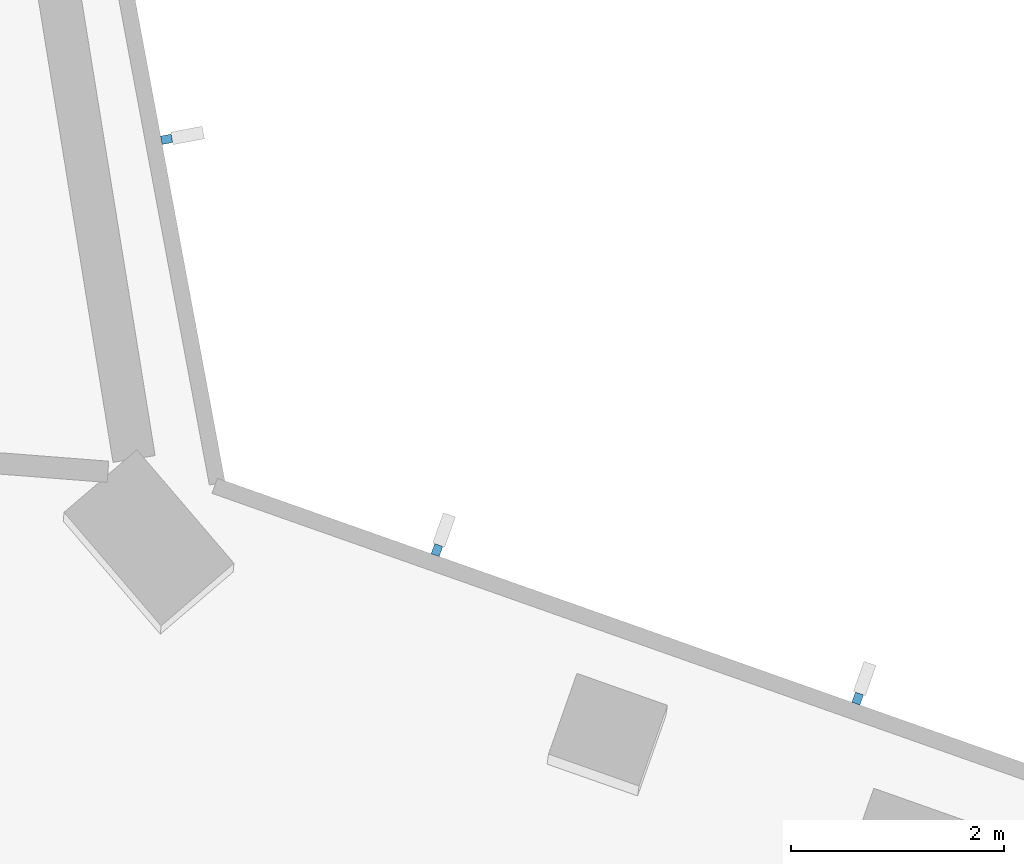
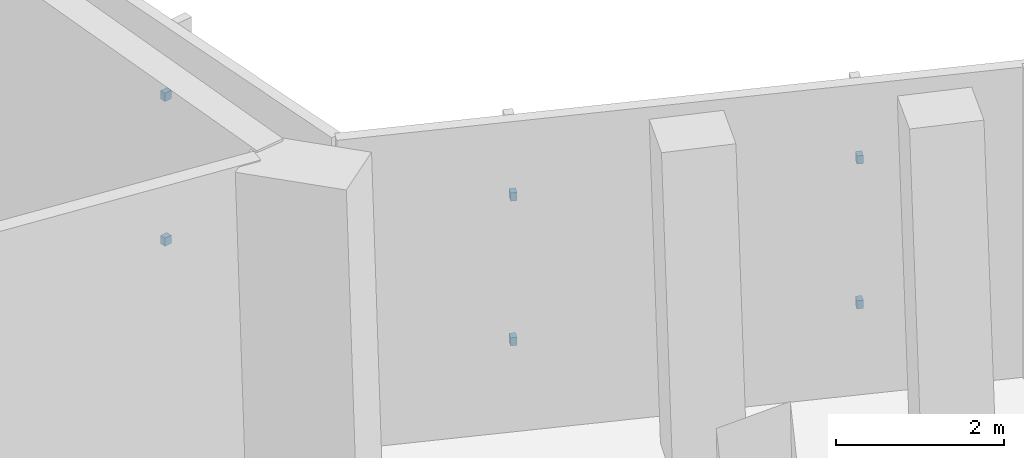
# One storey, part 9 of 20: 6 discrete accessories.
"""IFC4 building model written with IfcOpenShell, lengths in metres."""

from ifc_helpers import new_model, si_unit, direction, frame, origin, origin_2d, place, context, subcontext, project, spatial, rectangle, extrude, element, save


model = new_model("IFC4")

# Units and contexts
model_context = context("Model", 3, precision=1e-05, world=origin(), true_north=direction((0.0, 1.0)))
body_context = subcontext(model_context, "Body", "Model", "MODEL_VIEW")
ifc_project = project(units=[si_unit("LENGTHUNIT", "METRE"), si_unit("AREAUNIT", "SQUARE_METRE"), si_unit("VOLUMEUNIT", "CUBIC_METRE"), si_unit("PLANEANGLEUNIT", "RADIAN"), si_unit("MASSUNIT", "GRAM", prefix="KILO")], contexts=[model_context])

# Site, building, storey
site_placement = place(None, origin())
site = spatial("IfcSite", under=ifc_project, at=site_placement, CompositionType="ELEMENT")
building_placement = place(site_placement, origin())
building = spatial("IfcBuilding", under=site, at=building_placement, Name="Verdalira Terraces Hotel", CompositionType="ELEMENT")
storey_placement = place(building_placement, frame((0.0, 0.0, 75.0)))
storey = spatial("IfcBuildingStorey", under=building, at=storey_placement, Name="L17", CompositionType="ELEMENT", Elevation=75.0)

# Discrete accessories
for number, where, z_axis, x_axis, name in (
    (1, (30.974854, -3.986328, 1.139893), (0.0, 0.0, 1.0), (-0.942990536, 0.332819545, 0.0), "Fin bracket"),
    (2, (30.974854, -3.986328, 3.23999), (0.0, 0.0, 1.0), (-0.942990536, 0.332819545, 0.0), "Fin bracket"),
    (3, (27.028564, -2.593506, 1.139893), (0.0, 0.0, 1.0), (-0.942990536, 0.332819545, 0.0), "Fin bracket"),
    (4, (27.028564, -2.593506, 3.23999), (0.0, 0.0, 1.0), (-0.942990536, 0.332819545, 0.0), "Fin bracket"),
    (5, (24.492188, 1.26001, 1.139893), (0.0, 0.0, 1.0), (-0.183265088, 0.983063532, 0.0), "Fin bracket"),
    (6, (24.492188, 1.26001, 3.23999), (0.0, 0.0, 1.0), (-0.183265088, 0.983063532, 0.0), "Fin bracket"),
):
    element("IfcDiscreteAccessory", number, at=place(storey_placement, frame(where, z_axis=z_axis, x_axis=x_axis)), inside=storey, Name=name, PredefinedType="BRACKET", context=body_context, shape_type="SweptSolid", body=[
        extrude(rectangle(XDim=0.080078, YDim=0.100098, at=origin_2d()), origin(), (0.0, 0.0, 1.0), 0.120117),
    ])

save(model, "model.ifc")
